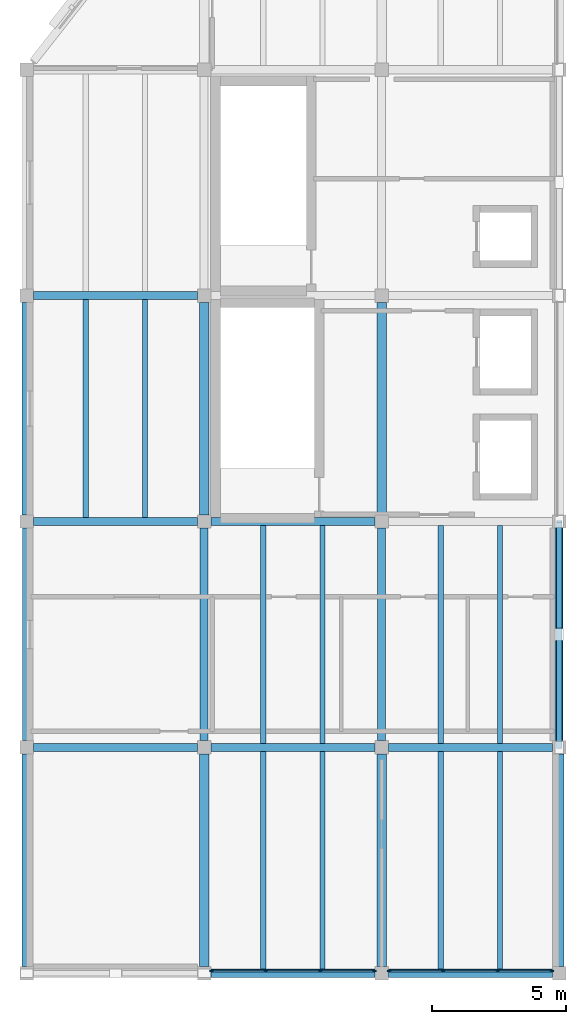
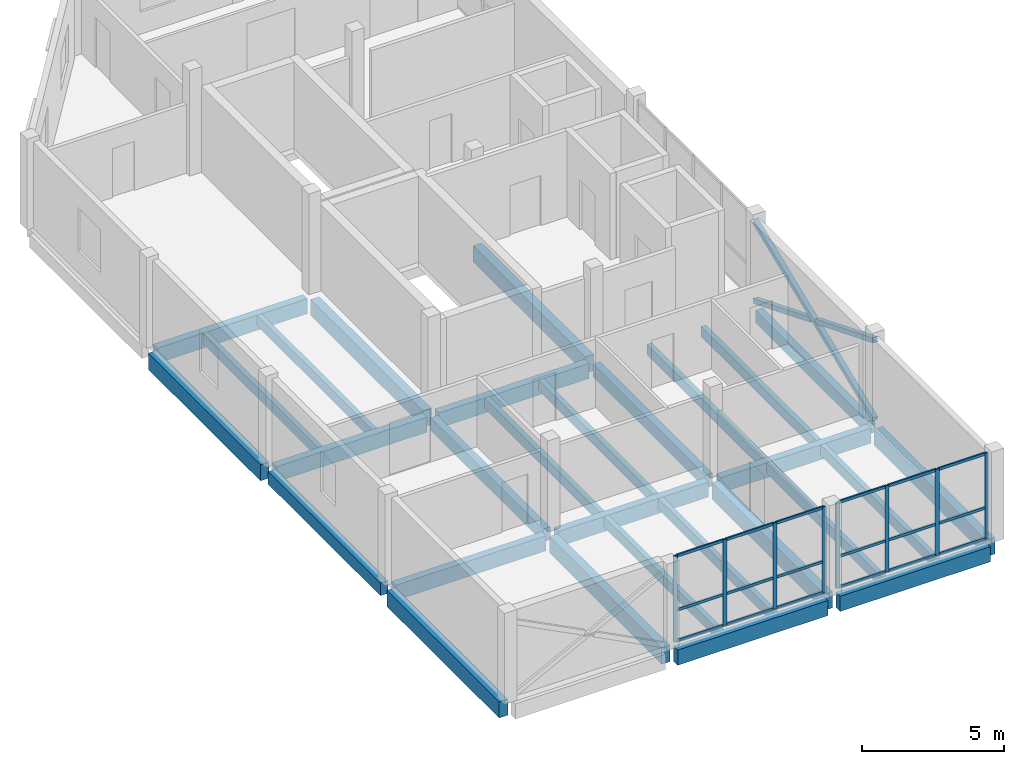
# One storey, part 2 of 7: 29 beams, 29 members, 2 elements without a shape of their own.
"""IFC4 building model written with IfcOpenShell, lengths in metres."""

from ifc_helpers import new_model, si_unit, direction, frame, origin, origin_2d, place, context, subcontext, project, spatial, rectangle, hollow_rectangle, extrude, material, material_profile, profile_set, type_object, element, aggregate, save


model = new_model("IFC4")

# Units and contexts
model_context = context("Model", 3, precision=1e-05, world=origin(), true_north=direction((0.0, 1.0)))
body_context = subcontext(model_context, "Body", "Model", "MODEL_VIEW")
ifc_project = project(units=[si_unit("LENGTHUNIT", "METRE"), si_unit("AREAUNIT", "SQUARE_METRE"), si_unit("VOLUMEUNIT", "CUBIC_METRE"), si_unit("PLANEANGLEUNIT", "RADIAN"), si_unit("MASSUNIT", "GRAM", prefix="KILO")], contexts=[model_context])

# Site, building, storey
site_placement = place(None, origin())
site = spatial("IfcSite", under=ifc_project, at=site_placement, CompositionType="ELEMENT")
building_placement = place(site_placement, origin())
building = spatial("IfcBuilding", under=site, at=building_placement, Name="Qaldarim Faculty of Natural and Applied Sciences", CompositionType="ELEMENT")
storey_placement = place(building_placement, frame((0.0, 0.0, 47.10009765625)))
storey = spatial("IfcBuildingStorey", under=building, at=storey_placement, Name="L11", CompositionType="ELEMENT", Elevation=47.10009765625)

# Beams
ifc_material_1 = material(Name="Concrete C40/50", Category="concrete")
ifc_material_profile_1 = material_profile(ifc_material_1, rectangle(XDim=0.300048828125, YDim=0.550048828125, at=origin_2d()), Name="RC-B300x550")
ifc_profile_set_1 = profile_set([ifc_material_profile_1], Name="Concrete C40/50")
beam_type_1 = type_object("IfcBeamType", Name="FloorBeam-RC300x550", PredefinedType="BEAM", material=ifc_profile_set_1)
for number, where, z_axis, x_axis, name in (
    (1, (158.39990234375, 8.64990234375, -0.4951171875), (0.0, 1.0, 0.0), (-1.0, 0.0, 0.0), "Beam RC-B300x550 L10 X25/Y02-Y03"),
    (2, (165.0, 8.64990234375, -0.4951171875), (0.0, 1.0, 0.0), (-1.0, 0.0, 0.0), "Beam RC-B300x550 L10 X26/Y02-Y03"),
    (3, (171.60009765625, 8.64990234375, -0.4951171875), (0.0, 1.0, 0.0), (-1.0, 0.0, 0.0), "Beam RC-B300x550 L10 X27/Y02-Y03"),
    (4, (178.199951171875, 8.64990234375, -0.4951171875), (0.0, 1.0, 0.0), (-1.0, 0.0, 0.0), "Beam RC-B300x550 L10 X28/Y02-Y03"),
):
    element("IfcBeam", number, at=place(storey_placement, frame(where, z_axis=z_axis, x_axis=x_axis)), inside=storey, type_object=beam_type_1, Name=name, PredefinedType="BEAM", context=body_context, shape_type="SweptSolid", body=[
        extrude(rectangle(XDim=0.300048828125, YDim=0.550048828125, at=origin_2d()), origin(), (0.0, 0.0, 1.0), 7.900146484375),
    ])
ifc_material_profile_2 = material_profile(ifc_material_1, rectangle(XDim=0.199951171875, YDim=0.449951171875, at=origin_2d()), Name="RC-J200x450")
ifc_profile_set_2 = profile_set([ifc_material_profile_2], Name="Concrete C40/50")
beam_type_2 = type_object("IfcBeamType", Name="LabJoist-RC200x450", PredefinedType="JOIST", material=ifc_profile_set_2)
for number, where, z_axis, x_axis, name in (
    (5, (160.60009765625, 16.949951171875, -0.445068359375), (0.0, 1.0, 0.0), (-1.0, 0.0, 0.0), "Laboratory joist L10 bay X25Y03-1"),
    (6, (162.800048828125, 16.949951171875, -0.445068359375), (0.0, 1.0, 0.0), (-1.0, 0.0, 0.0), "Laboratory joist L10 bay X25Y03-2"),
    (7, (167.199951171875, 0.14990234375, -0.445068359375), (0.0, 1.0, 0.0), (-1.0, 0.0, 0.0), "Laboratory joist L10 bay X26Y01-1"),
    (8, (169.39990234375, 0.14990234375, -0.445068359375), (0.0, 1.0, 0.0), (-1.0, 0.0, 0.0), "Laboratory joist L10 bay X26Y01-2"),
):
    element("IfcBeam", number, at=place(storey_placement, frame(where, z_axis=z_axis, x_axis=x_axis)), inside=storey, type_object=beam_type_2, Name=name, PredefinedType="JOIST", context=body_context, shape_type="SweptSolid", body=[
        extrude(rectangle(XDim=0.199951171875, YDim=0.449951171875, at=origin_2d()), origin(), (0.0, 0.0, 1.0), 8.10009765625),
    ])
for number, where, z_axis, x_axis, name in (
    (9, (167.199951171875, 8.550048828125, -0.445068359375), (0.0, 1.0, 0.0), (-1.0, 0.0, 0.0), "Laboratory joist L10 bay X26Y02-1"),
    (10, (169.39990234375, 8.550048828125, -0.445068359375), (0.0, 1.0, 0.0), (-1.0, 0.0, 0.0), "Laboratory joist L10 bay X26Y02-2"),
):
    element("IfcBeam", number, at=place(storey_placement, frame(where, z_axis=z_axis, x_axis=x_axis)), inside=storey, type_object=beam_type_2, Name=name, PredefinedType="JOIST", context=body_context, shape_type="SweptSolid", body=[
        extrude(rectangle(XDim=0.199951171875, YDim=0.449951171875, at=origin_2d()), origin(), (0.0, 0.0, 1.0), 8.099853515625),
    ])
for number, where, z_axis, x_axis, name in (
    (11, (173.800048828125, 0.14990234375, -0.445068359375), (0.0, 1.0, 0.0), (-1.0, 0.0, 0.0), "Laboratory joist L10 bay X27Y01-1"),
    (12, (176.0, 0.14990234375, -0.445068359375), (0.0, 1.0, 0.0), (-1.0, 0.0, 0.0), "Laboratory joist L10 bay X27Y01-2"),
):
    element("IfcBeam", number, at=place(storey_placement, frame(where, z_axis=z_axis, x_axis=x_axis)), inside=storey, type_object=beam_type_2, Name=name, PredefinedType="JOIST", context=body_context, shape_type="SweptSolid", body=[
        extrude(rectangle(XDim=0.199951171875, YDim=0.449951171875, at=origin_2d()), origin(), (0.0, 0.0, 1.0), 8.10009765625),
    ])
for number, where, z_axis, x_axis, name in (
    (13, (173.800048828125, 8.550048828125, -0.445068359375), (0.0, 1.0, 0.0), (-1.0, 0.0, 0.0), "Laboratory joist L10 bay X27Y02-1"),
    (14, (176.0, 8.550048828125, -0.445068359375), (0.0, 1.0, 0.0), (-1.0, 0.0, 0.0), "Laboratory joist L10 bay X27Y02-2"),
):
    element("IfcBeam", number, at=place(storey_placement, frame(where, z_axis=z_axis, x_axis=x_axis)), inside=storey, type_object=beam_type_2, Name=name, PredefinedType="JOIST", context=body_context, shape_type="SweptSolid", body=[
        extrude(rectangle(XDim=0.199951171875, YDim=0.449951171875, at=origin_2d()), origin(), (0.0, 0.0, 1.0), 8.099853515625),
    ])

# Curtain wall, members
ifc_material_2 = material(Name="Anodised aluminium AW-6063", Category="aluminium")
curtain_wall_type = type_object("IfcCurtainWallType", Name="CurtainWallSystem-M1950", PredefinedType="USERDEFINED", material=ifc_material_2)
curtain_wall_1_placement = place(storey_placement, origin())
curtain_wall_1 = element("IfcCurtainWall", 15, at=curtain_wall_1_placement, inside=storey, type_object=curtain_wall_type, Name="Curtain wall CW-L11-S-X26Y01", ObjectType="UNITISED FACADE", PredefinedType="USERDEFINED")
ifc_material_profile_3 = material_profile(ifc_material_2, rectangle(XDim=0.06005859375, YDim=0.14990234375, at=origin_2d()), Name="ALU-M60x150")
ifc_profile_set_3 = profile_set([ifc_material_profile_3], Name="Anodised aluminium AW-6063")
member_type_1 = type_object("IfcMemberType", Name="Mullion-ALU60x150", PredefinedType="MULLION", material=ifc_profile_set_3)
member_1_placement = place(storey_placement, frame((165.27490234375, 0.080078125, 0.0), z_axis=(0.0, 0.0, 1.0), x_axis=(0.0, 1.0, 0.0)))
member_1 = element("IfcMember", 16, at=member_1_placement, type_object=member_type_1, Name="Mullion 1 of CW-L11-S-X26Y01", PredefinedType="MULLION", context=body_context, shape_type="SweptSolid", body=[
    extrude(rectangle(XDim=0.06005859375, YDim=0.14990234375, at=origin_2d()), origin(), (0.0, 0.0, 1.0), 3.699951171875),
])
member_2_placement = place(storey_placement, frame((167.28173828125, 0.080078125, 0.0), z_axis=(0.0, 0.0, 1.0), x_axis=(0.0, 1.0, 0.0)))
member_2 = element("IfcMember", 17, at=member_2_placement, type_object=member_type_1, Name="Mullion 2 of CW-L11-S-X26Y01", PredefinedType="MULLION", context=body_context, shape_type="SweptSolid", body=[
    extrude(rectangle(XDim=0.06005859375, YDim=0.14990234375, at=origin_2d()), origin(), (0.0, 0.0, 1.0), 3.699951171875),
])
member_3_placement = place(storey_placement, frame((169.318359375, 0.080078125, 0.0), z_axis=(0.0, 0.0, 1.0), x_axis=(0.0, 1.0, 0.0)))
member_3 = element("IfcMember", 18, at=member_3_placement, type_object=member_type_1, Name="Mullion 3 of CW-L11-S-X26Y01", PredefinedType="MULLION", context=body_context, shape_type="SweptSolid", body=[
    extrude(rectangle(XDim=0.06005859375, YDim=0.14990234375, at=origin_2d()), origin(), (0.0, 0.0, 1.0), 3.699951171875),
])
member_4_placement = place(storey_placement, frame((171.324951171875, 0.080078125, 0.0), z_axis=(0.0, 0.0, 1.0), x_axis=(0.0, 1.0, 0.0)))
member_4 = element("IfcMember", 19, at=member_4_placement, type_object=member_type_1, Name="Mullion 4 of CW-L11-S-X26Y01", PredefinedType="MULLION", context=body_context, shape_type="SweptSolid", body=[
    extrude(rectangle(XDim=0.06005859375, YDim=0.14990234375, at=origin_2d()), origin(), (0.0, 0.0, 1.0), 3.699951171875),
])

curtain_wall_2_placement = place(storey_placement, origin())
curtain_wall_2 = element("IfcCurtainWall", 20, at=curtain_wall_2_placement, inside=storey, type_object=curtain_wall_type, Name="Curtain wall CW-L11-S-X27Y01", ObjectType="UNITISED FACADE", PredefinedType="USERDEFINED")
member_5_placement = place(storey_placement, frame((171.875, 0.080078125, 0.0), z_axis=(0.0, 0.0, 1.0), x_axis=(0.0, 1.0, 0.0)))
member_5 = element("IfcMember", 21, at=member_5_placement, type_object=member_type_1, Name="Mullion 1 of CW-L11-S-X27Y01", PredefinedType="MULLION", context=body_context, shape_type="SweptSolid", body=[
    extrude(rectangle(XDim=0.06005859375, YDim=0.14990234375, at=origin_2d()), origin(), (0.0, 0.0, 1.0), 3.699951171875),
])
member_6_placement = place(storey_placement, frame((173.881591796875, 0.080078125, 0.0), z_axis=(0.0, 0.0, 1.0), x_axis=(0.0, 1.0, 0.0)))
member_6 = element("IfcMember", 22, at=member_6_placement, type_object=member_type_1, Name="Mullion 2 of CW-L11-S-X27Y01", PredefinedType="MULLION", context=body_context, shape_type="SweptSolid", body=[
    extrude(rectangle(XDim=0.06005859375, YDim=0.14990234375, at=origin_2d()), origin(), (0.0, 0.0, 1.0), 3.699951171875),
])
member_7_placement = place(storey_placement, frame((175.918212890625, 0.080078125, 0.0), z_axis=(0.0, 0.0, 1.0), x_axis=(0.0, 1.0, 0.0)))
member_7 = element("IfcMember", 23, at=member_7_placement, type_object=member_type_1, Name="Mullion 3 of CW-L11-S-X27Y01", PredefinedType="MULLION", context=body_context, shape_type="SweptSolid", body=[
    extrude(rectangle(XDim=0.06005859375, YDim=0.14990234375, at=origin_2d()), origin(), (0.0, 0.0, 1.0), 3.699951171875),
])
member_8_placement = place(storey_placement, frame((177.925048828125, 0.080078125, 0.0), z_axis=(0.0, 0.0, 1.0), x_axis=(0.0, 1.0, 0.0)))
member_8 = element("IfcMember", 24, at=member_8_placement, type_object=member_type_1, Name="Mullion 4 of CW-L11-S-X27Y01", PredefinedType="MULLION", context=body_context, shape_type="SweptSolid", body=[
    extrude(rectangle(XDim=0.06005859375, YDim=0.14990234375, at=origin_2d()), origin(), (0.0, 0.0, 1.0), 3.699951171875),
])

# Beams
ifc_material_profile_4 = material_profile(ifc_material_1, rectangle(XDim=0.300048828125, YDim=0.64990234375, at=origin_2d()), Name="RC-B300x650")
ifc_profile_set_4 = profile_set([ifc_material_profile_4], Name="Concrete C40/50")
beam_type_3 = type_object("IfcBeamType", Name="PrimaryBeam-RC300x650", PredefinedType="BEAM", material=ifc_profile_set_4)
beam_1_placement = place(storey_placement, frame((165.25, 0.0, -0.545166015625), z_axis=(1.0, 0.0, 0.0), x_axis=(0.0, 1.0, 0.0)))
element("IfcBeam", 25, at=beam_1_placement, inside=storey, type_object=beam_type_3, Name="Beam RC-B300x650 L10 X26-X27/Y01", PredefinedType="BEAM", context=body_context, shape_type="SweptSolid", body=[
    extrude(rectangle(XDim=0.300048828125, YDim=0.64990234375, at=origin_2d()), origin(), (0.0, 0.0, 1.0), 6.10009765625),
])
beam_2_placement = place(storey_placement, frame((171.85009765625, 0.0, -0.545166015625), z_axis=(1.0, 0.0, 0.0), x_axis=(0.0, 1.0, 0.0)))
element("IfcBeam", 26, at=beam_2_placement, inside=storey, type_object=beam_type_3, Name="Beam RC-B300x650 L10 X27-X28/Y01", PredefinedType="BEAM", context=body_context, shape_type="SweptSolid", body=[
    extrude(rectangle(XDim=0.300048828125, YDim=0.64990234375, at=origin_2d()), origin(), (0.0, 0.0, 1.0), 6.099853515625),
])
for number, where, z_axis, x_axis, name in (
    (27, (158.64990234375, 8.39990234375, -0.545166015625), (1.0, 0.0, 0.0), (0.0, 1.0, 0.0), "Beam RC-B300x650 L10 X25-X26/Y02"),
    (28, (165.25, 8.39990234375, -0.545166015625), (1.0, 0.0, 0.0), (0.0, 1.0, 0.0), "Beam RC-B300x650 L10 X26-X27/Y02"),
):
    element("IfcBeam", number, at=place(storey_placement, frame(where, z_axis=z_axis, x_axis=x_axis)), inside=storey, type_object=beam_type_3, Name=name, PredefinedType="BEAM", context=body_context, shape_type="SweptSolid", body=[
        extrude(rectangle(XDim=0.300048828125, YDim=0.64990234375, at=origin_2d()), origin(), (0.0, 0.0, 1.0), 6.10009765625),
    ])
beam_3_placement = place(storey_placement, frame((171.85009765625, 8.39990234375, -0.545166015625), z_axis=(1.0, 0.0, 0.0), x_axis=(0.0, 1.0, 0.0)))
element("IfcBeam", 29, at=beam_3_placement, inside=storey, type_object=beam_type_3, Name="Beam RC-B300x650 L10 X27-X28/Y02", PredefinedType="BEAM", context=body_context, shape_type="SweptSolid", body=[
    extrude(rectangle(XDim=0.300048828125, YDim=0.64990234375, at=origin_2d()), origin(), (0.0, 0.0, 1.0), 6.099853515625),
])
for number, where, z_axis, x_axis, name in (
    (30, (158.64990234375, 16.800048828125, -0.545166015625), (1.0, 0.0, 0.0), (0.0, 1.0, 0.0), "Beam RC-B300x650 L10 X25-X26/Y03"),
    (31, (165.25, 16.800048828125, -0.545166015625), (1.0, 0.0, 0.0), (0.0, 1.0, 0.0), "Beam RC-B300x650 L10 X26-X27/Y03"),
    (32, (158.64990234375, 25.199951171875, -0.545166015625), (1.0, 0.0, 0.0), (0.0, 1.0, 0.0), "Beam RC-B300x650 L10 X25-X26/Y04"),
):
    element("IfcBeam", number, at=place(storey_placement, frame(where, z_axis=z_axis, x_axis=x_axis)), inside=storey, type_object=beam_type_3, Name=name, PredefinedType="BEAM", context=body_context, shape_type="SweptSolid", body=[
        extrude(rectangle(XDim=0.300048828125, YDim=0.64990234375, at=origin_2d()), origin(), (0.0, 0.0, 1.0), 6.10009765625),
    ])
ifc_material_profile_5 = material_profile(ifc_material_1, rectangle(XDim=0.35009765625, YDim=0.699951171875, at=origin_2d()), Name="RC-B350x700")
ifc_profile_set_5 = profile_set([ifc_material_profile_5], Name="Concrete C40/50")
beam_type_4 = type_object("IfcBeamType", Name="PrimaryGirder-RC350x700", PredefinedType="BEAM", material=ifc_profile_set_5)
for number, where, z_axis, x_axis, name in (
    (33, (158.39990234375, 0.25, -0.570068359375), (0.0, 1.0, 0.0), (-1.0, 0.0, 0.0), "Beam RC-B350x700 L10 X25/Y01-Y02"),
    (34, (158.39990234375, 17.050048828125, -0.570068359375), (0.0, 1.0, 0.0), (-1.0, 0.0, 0.0), "Beam RC-B350x700 L10 X25/Y03-Y04"),
    (35, (165.0, 0.25, -0.570068359375), (0.0, 1.0, 0.0), (-1.0, 0.0, 0.0), "Beam RC-B350x700 L10 X26/Y01-Y02"),
    (36, (165.0, 17.050048828125, -0.570068359375), (0.0, 1.0, 0.0), (-1.0, 0.0, 0.0), "Beam RC-B350x700 L10 X26/Y03-Y04"),
    (37, (171.60009765625, 0.25, -0.570068359375), (0.0, 1.0, 0.0), (-1.0, 0.0, 0.0), "Beam RC-B350x700 L10 X27/Y01-Y02"),
    (38, (171.60009765625, 17.050048828125, -0.570068359375), (0.0, 1.0, 0.0), (-1.0, 0.0, 0.0), "Beam RC-B350x700 L10 X27/Y03-Y04"),
    (39, (178.199951171875, 0.25, -0.570068359375), (0.0, 1.0, 0.0), (-1.0, 0.0, 0.0), "Beam RC-B350x700 L10 X28/Y01-Y02"),
):
    element("IfcBeam", number, at=place(storey_placement, frame(where, z_axis=z_axis, x_axis=x_axis)), inside=storey, type_object=beam_type_4, Name=name, PredefinedType="BEAM", context=body_context, shape_type="SweptSolid", body=[
        extrude(rectangle(XDim=0.35009765625, YDim=0.699951171875, at=origin_2d()), origin(), (0.0, 0.0, 1.0), 7.89990234375),
    ])

# Member
ifc_material_profile_6 = material_profile(ifc_material_2, rectangle(XDim=0.06005859375, YDim=0.1201171875, at=origin_2d()), Name="ALU-T60x120")
ifc_profile_set_6 = profile_set([ifc_material_profile_6], Name="Anodised aluminium AW-6063")
member_type_2 = type_object("IfcMemberType", Name="Transom-ALU60x120", PredefinedType="USERDEFINED", material=ifc_profile_set_6)
member_9_placement = place(storey_placement, frame((165.304931640625, 0.080078125, 0.02978515625), z_axis=(1.0, 0.0, 0.0), x_axis=(0.0, 1.0, 0.0)))
member_9 = element("IfcMember", 40, at=member_9_placement, type_object=member_type_2, Name="Transom 1-1 of CW-L11-S-X26Y01", ObjectType="TRANSOM", PredefinedType="USERDEFINED", context=body_context, shape_type="SweptSolid", body=[
    extrude(rectangle(XDim=0.06005859375, YDim=0.1201171875, at=origin_2d()), origin(), (0.0, 0.0, 1.0), 1.94677734375),
])

member_10_placement = place(storey_placement, frame((165.304931640625, 0.080078125, 1.349853515625), z_axis=(1.0, 0.0, 0.0), x_axis=(0.0, 1.0, 0.0)))
member_10 = element("IfcMember", 41, at=member_10_placement, type_object=member_type_2, Name="Transom 1-2 of CW-L11-S-X26Y01", ObjectType="TRANSOM", PredefinedType="USERDEFINED", context=body_context, shape_type="SweptSolid", body=[
    extrude(rectangle(XDim=0.06005859375, YDim=0.1201171875, at=origin_2d()), origin(), (0.0, 0.0, 1.0), 1.94677734375),
])

member_11_placement = place(storey_placement, frame((165.304931640625, 0.080078125, 3.669921875), z_axis=(1.0, 0.0, 0.0), x_axis=(0.0, 1.0, 0.0)))
member_11 = element("IfcMember", 42, at=member_11_placement, type_object=member_type_2, Name="Transom 1-3 of CW-L11-S-X26Y01", ObjectType="TRANSOM", PredefinedType="USERDEFINED", context=body_context, shape_type="SweptSolid", body=[
    extrude(rectangle(XDim=0.06005859375, YDim=0.1201171875, at=origin_2d()), origin(), (0.0, 0.0, 1.0), 1.94677734375),
])

member_12_placement = place(storey_placement, frame((167.311767578125, 0.080078125, 0.02978515625), z_axis=(1.0, 0.0, 0.0), x_axis=(0.0, 1.0, 0.0)))
member_12 = element("IfcMember", 43, at=member_12_placement, type_object=member_type_2, Name="Transom 2-1 of CW-L11-S-X26Y01", ObjectType="TRANSOM", PredefinedType="USERDEFINED", context=body_context, shape_type="SweptSolid", body=[
    extrude(rectangle(XDim=0.06005859375, YDim=0.1201171875, at=origin_2d()), origin(), (0.0, 0.0, 1.0), 1.9765625),
])

member_13_placement = place(storey_placement, frame((167.311767578125, 0.080078125, 1.349853515625), z_axis=(1.0, 0.0, 0.0), x_axis=(0.0, 1.0, 0.0)))
member_13 = element("IfcMember", 44, at=member_13_placement, type_object=member_type_2, Name="Transom 2-2 of CW-L11-S-X26Y01", ObjectType="TRANSOM", PredefinedType="USERDEFINED", context=body_context, shape_type="SweptSolid", body=[
    extrude(rectangle(XDim=0.06005859375, YDim=0.1201171875, at=origin_2d()), origin(), (0.0, 0.0, 1.0), 1.9765625),
])

member_14_placement = place(storey_placement, frame((167.311767578125, 0.080078125, 3.669921875), z_axis=(1.0, 0.0, 0.0), x_axis=(0.0, 1.0, 0.0)))
member_14 = element("IfcMember", 45, at=member_14_placement, type_object=member_type_2, Name="Transom 2-3 of CW-L11-S-X26Y01", ObjectType="TRANSOM", PredefinedType="USERDEFINED", context=body_context, shape_type="SweptSolid", body=[
    extrude(rectangle(XDim=0.06005859375, YDim=0.1201171875, at=origin_2d()), origin(), (0.0, 0.0, 1.0), 1.9765625),
])

member_15_placement = place(storey_placement, frame((169.348388671875, 0.080078125, 0.02978515625), z_axis=(1.0, 0.0, 0.0), x_axis=(0.0, 1.0, 0.0)))
member_15 = element("IfcMember", 46, at=member_15_placement, type_object=member_type_2, Name="Transom 3-1 of CW-L11-S-X26Y01", ObjectType="TRANSOM", PredefinedType="USERDEFINED", context=body_context, shape_type="SweptSolid", body=[
    extrude(rectangle(XDim=0.06005859375, YDim=0.1201171875, at=origin_2d()), origin(), (0.0, 0.0, 1.0), 1.946533203125),
])

member_16_placement = place(storey_placement, frame((169.348388671875, 0.080078125, 1.349853515625), z_axis=(1.0, 0.0, 0.0), x_axis=(0.0, 1.0, 0.0)))
member_16 = element("IfcMember", 47, at=member_16_placement, type_object=member_type_2, Name="Transom 3-2 of CW-L11-S-X26Y01", ObjectType="TRANSOM", PredefinedType="USERDEFINED", context=body_context, shape_type="SweptSolid", body=[
    extrude(rectangle(XDim=0.06005859375, YDim=0.1201171875, at=origin_2d()), origin(), (0.0, 0.0, 1.0), 1.946533203125),
])

member_17_placement = place(storey_placement, frame((169.348388671875, 0.080078125, 3.669921875), z_axis=(1.0, 0.0, 0.0), x_axis=(0.0, 1.0, 0.0)))
member_17 = element("IfcMember", 48, at=member_17_placement, type_object=member_type_2, Name="Transom 3-3 of CW-L11-S-X26Y01", ObjectType="TRANSOM", PredefinedType="USERDEFINED", context=body_context, shape_type="SweptSolid", body=[
    extrude(rectangle(XDim=0.06005859375, YDim=0.1201171875, at=origin_2d()), origin(), (0.0, 0.0, 1.0), 1.946533203125),
])

aggregate(curtain_wall_1, [member_1, member_2, member_3, member_4, member_9, member_10, member_11, member_12, member_13, member_14, member_15, member_16, member_17])

member_18_placement = place(storey_placement, frame((171.905029296875, 0.080078125, 0.02978515625), z_axis=(1.0, 0.0, 0.0), x_axis=(0.0, 1.0, 0.0)))
member_18 = element("IfcMember", 49, at=member_18_placement, type_object=member_type_2, Name="Transom 1-1 of CW-L11-S-X27Y01", ObjectType="TRANSOM", PredefinedType="USERDEFINED", context=body_context, shape_type="SweptSolid", body=[
    extrude(rectangle(XDim=0.06005859375, YDim=0.1201171875, at=origin_2d()), origin(), (0.0, 0.0, 1.0), 1.94677734375),
])

member_19_placement = place(storey_placement, frame((171.905029296875, 0.080078125, 1.349853515625), z_axis=(1.0, 0.0, 0.0), x_axis=(0.0, 1.0, 0.0)))
member_19 = element("IfcMember", 50, at=member_19_placement, type_object=member_type_2, Name="Transom 1-2 of CW-L11-S-X27Y01", ObjectType="TRANSOM", PredefinedType="USERDEFINED", context=body_context, shape_type="SweptSolid", body=[
    extrude(rectangle(XDim=0.06005859375, YDim=0.1201171875, at=origin_2d()), origin(), (0.0, 0.0, 1.0), 1.94677734375),
])

member_20_placement = place(storey_placement, frame((171.905029296875, 0.080078125, 3.669921875), z_axis=(1.0, 0.0, 0.0), x_axis=(0.0, 1.0, 0.0)))
member_20 = element("IfcMember", 51, at=member_20_placement, type_object=member_type_2, Name="Transom 1-3 of CW-L11-S-X27Y01", ObjectType="TRANSOM", PredefinedType="USERDEFINED", context=body_context, shape_type="SweptSolid", body=[
    extrude(rectangle(XDim=0.06005859375, YDim=0.1201171875, at=origin_2d()), origin(), (0.0, 0.0, 1.0), 1.94677734375),
])

member_21_placement = place(storey_placement, frame((173.91162109375, 0.080078125, 0.02978515625), z_axis=(1.0, 0.0, 0.0), x_axis=(0.0, 1.0, 0.0)))
member_21 = element("IfcMember", 52, at=member_21_placement, type_object=member_type_2, Name="Transom 2-1 of CW-L11-S-X27Y01", ObjectType="TRANSOM", PredefinedType="USERDEFINED", context=body_context, shape_type="SweptSolid", body=[
    extrude(rectangle(XDim=0.06005859375, YDim=0.1201171875, at=origin_2d()), origin(), (0.0, 0.0, 1.0), 1.9765625),
])

member_22_placement = place(storey_placement, frame((173.91162109375, 0.080078125, 1.349853515625), z_axis=(1.0, 0.0, 0.0), x_axis=(0.0, 1.0, 0.0)))
member_22 = element("IfcMember", 53, at=member_22_placement, type_object=member_type_2, Name="Transom 2-2 of CW-L11-S-X27Y01", ObjectType="TRANSOM", PredefinedType="USERDEFINED", context=body_context, shape_type="SweptSolid", body=[
    extrude(rectangle(XDim=0.06005859375, YDim=0.1201171875, at=origin_2d()), origin(), (0.0, 0.0, 1.0), 1.9765625),
])

member_23_placement = place(storey_placement, frame((173.91162109375, 0.080078125, 3.669921875), z_axis=(1.0, 0.0, 0.0), x_axis=(0.0, 1.0, 0.0)))
member_23 = element("IfcMember", 54, at=member_23_placement, type_object=member_type_2, Name="Transom 2-3 of CW-L11-S-X27Y01", ObjectType="TRANSOM", PredefinedType="USERDEFINED", context=body_context, shape_type="SweptSolid", body=[
    extrude(rectangle(XDim=0.06005859375, YDim=0.1201171875, at=origin_2d()), origin(), (0.0, 0.0, 1.0), 1.9765625),
])

member_24_placement = place(storey_placement, frame((175.9482421875, 0.080078125, 0.02978515625), z_axis=(1.0, 0.0, 0.0), x_axis=(0.0, 1.0, 0.0)))
member_24 = element("IfcMember", 55, at=member_24_placement, type_object=member_type_2, Name="Transom 3-1 of CW-L11-S-X27Y01", ObjectType="TRANSOM", PredefinedType="USERDEFINED", context=body_context, shape_type="SweptSolid", body=[
    extrude(rectangle(XDim=0.06005859375, YDim=0.1201171875, at=origin_2d()), origin(), (0.0, 0.0, 1.0), 1.94677734375),
])

member_25_placement = place(storey_placement, frame((175.9482421875, 0.080078125, 1.349853515625), z_axis=(1.0, 0.0, 0.0), x_axis=(0.0, 1.0, 0.0)))
member_25 = element("IfcMember", 56, at=member_25_placement, type_object=member_type_2, Name="Transom 3-2 of CW-L11-S-X27Y01", ObjectType="TRANSOM", PredefinedType="USERDEFINED", context=body_context, shape_type="SweptSolid", body=[
    extrude(rectangle(XDim=0.06005859375, YDim=0.1201171875, at=origin_2d()), origin(), (0.0, 0.0, 1.0), 1.94677734375),
])

member_26_placement = place(storey_placement, frame((175.9482421875, 0.080078125, 3.669921875), z_axis=(1.0, 0.0, 0.0), x_axis=(0.0, 1.0, 0.0)))
member_26 = element("IfcMember", 57, at=member_26_placement, type_object=member_type_2, Name="Transom 3-3 of CW-L11-S-X27Y01", ObjectType="TRANSOM", PredefinedType="USERDEFINED", context=body_context, shape_type="SweptSolid", body=[
    extrude(rectangle(XDim=0.06005859375, YDim=0.1201171875, at=origin_2d()), origin(), (0.0, 0.0, 1.0), 1.94677734375),
])

aggregate(curtain_wall_2, [member_5, member_6, member_7, member_8, member_18, member_19, member_20, member_21, member_22, member_23, member_24, member_25, member_26])

# Members
ifc_material_3 = material(Name="Structural steel S355", Category="steel")
ifc_material_profile_7 = material_profile(ifc_material_3, hollow_rectangle(XDim=0.199951171875, YDim=0.199951171875, WallThickness=0.012451171875, at=origin_2d()), Name="SHS 200x200x12.5")
ifc_profile_set_7 = profile_set([ifc_material_profile_7], Name="Structural steel S355")
member_type_3 = type_object("IfcMemberType", Name="UpperWingBrace-SHS200x12-5", PredefinedType="BRACE", material=ifc_profile_set_7)
member_27_placement = place(storey_placement, frame((178.199951171875, 8.39990234375, 0.0), z_axis=(0.0, 0.926952836405, 0.375177876588), x_axis=(-1.0, 0.0, 0.0)))
element("IfcMember", 58, at=member_27_placement, inside=storey, type_object=member_type_3, Name="East diagrid L11 primary brace L", PredefinedType="BRACE", context=body_context, shape_type="SweptSolid", body=[
    extrude(hollow_rectangle(XDim=0.199951171875, YDim=0.199951171875, WallThickness=0.012451171875, at=origin_2d()), origin(), (0.0, 0.0, 1.0), 9.06201171875),
])
for number, where, z_axis, x_axis, name in (
    (59, (178.199951171875, 16.800048828125, 0.0), (0.0, -0.927114673047, 0.374777778184), (1.0, 0.0, 0.0), "East diagrid L11 split secondary lower brace R1"),
    (60, (178.199951171875, 12.39501953125, 1.784912109375), (0.0, -0.927114673047, 0.374777778184), (1.0, 0.0, 0.0), "East diagrid L11 split secondary upper brace R2"),
):
    element("IfcMember", number, at=place(storey_placement, frame(where, z_axis=z_axis, x_axis=x_axis)), inside=storey, type_object=member_type_3, Name=name, PredefinedType="BRACE", context=body_context, shape_type="SweptSolid", body=[
        extrude(hollow_rectangle(XDim=0.199951171875, YDim=0.199951171875, WallThickness=0.012451171875, at=origin_2d()), origin(), (0.0, 0.0, 1.0), 4.30908203125),
    ])

save(model, "model.ifc")
